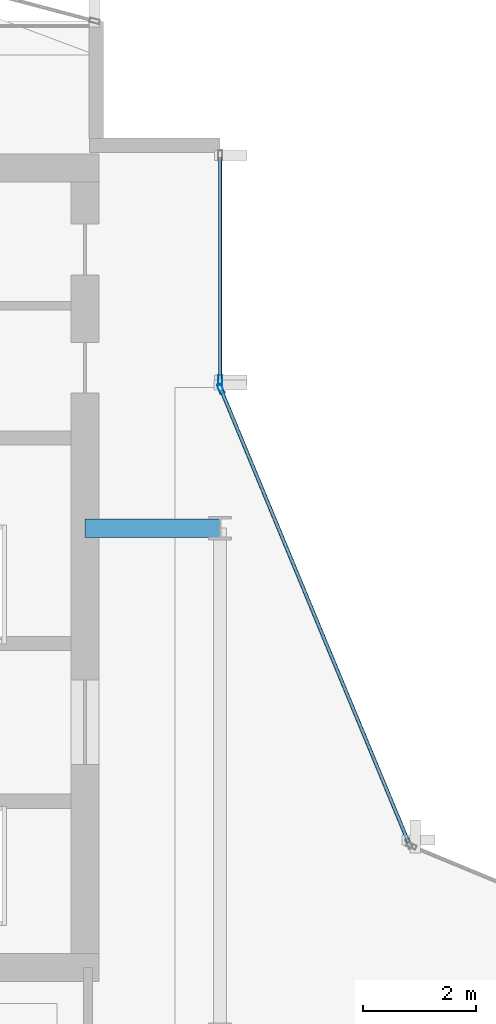
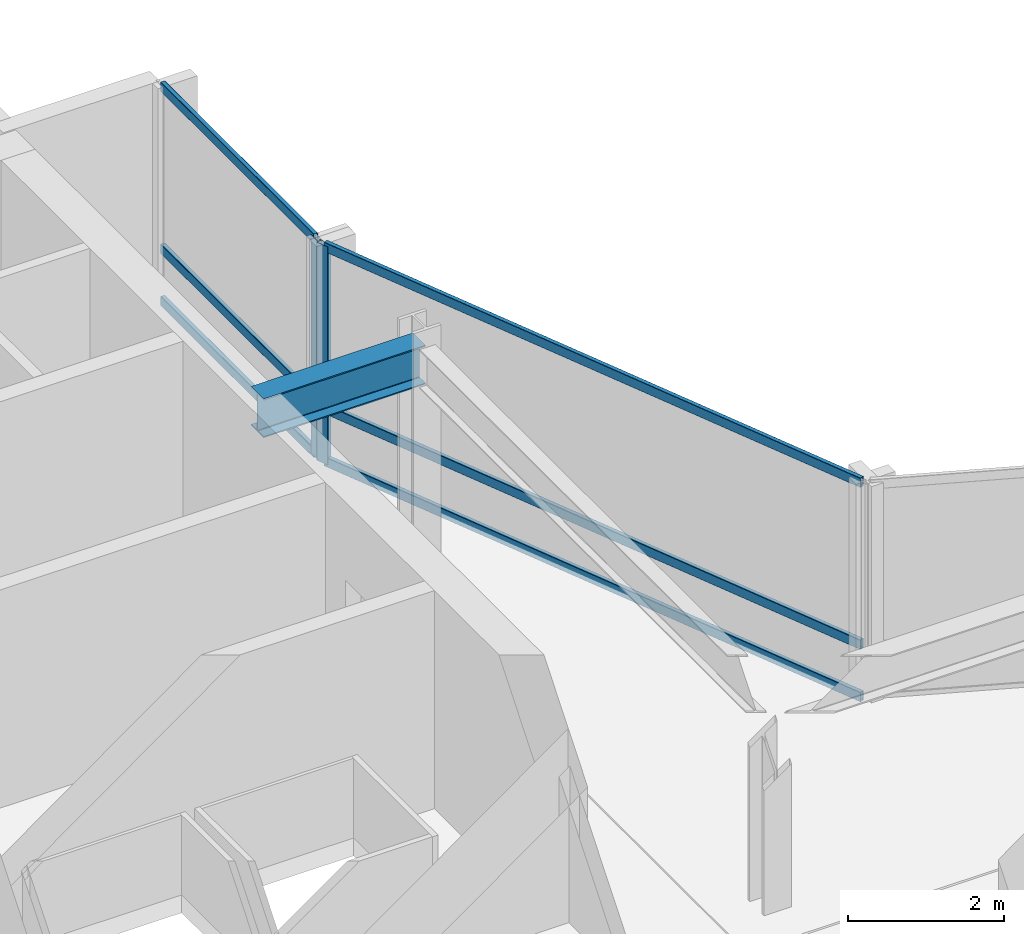
# One storey, part 17 of 27: 8 members, 1 beam, 2 elements without a shape of their own.
"""IFC4 building model written with IfcOpenShell, lengths in metres."""

import ifcopenshell
import ifcopenshell.guid

model = None  # the IFC model being written
_history = None  # IfcOwnerHistory: only IFC2X3 demands one
_inside = {}  # id of a spatial element -> (the spatial element, [elements in it])
_under = {}  # id of a project, library or spatial element -> (it, [spatial elements below it])
_declared = {}  # id of a project -> (the project, [libraries it declares])
_typed = {}  # id of a type object -> (the type object, [elements of that type])
_made_of = {}  # id of a material, layer set ... -> (it, [elements and type objects made of it])


def new_model(schema):
    """Start an empty IFC model of exactly this schema.

    Asked for "IFC4X3", IfcOpenShell would pick the latest addendum, in which some entities
    have other attributes; the version numbers below select the first issue.
    IFC2X3 requires an IfcOwnerHistory on every rooted entity: one is made here for all.
    """
    global model, _history
    if schema == "IFC4X3":
        model = ifcopenshell.file(schema_version=(4, 3, 0, 0))
    else:
        model = ifcopenshell.file(schema=schema)
    _inside.clear()
    _under.clear()
    _declared.clear()
    _typed.clear()
    _made_of.clear()
    _history = None
    if model.schema == "IFC2X3":
        org = make("IfcOrganization", Name="unknown")
        user = make(
            "IfcPersonAndOrganization",
            ThePerson=make("IfcPerson", FamilyName="unknown"),
            TheOrganization=org,
        )
        app = make(
            "IfcApplication",
            ApplicationDeveloper=org,
            Version="unknown",
            ApplicationFullName="unknown",
            ApplicationIdentifier="unknown",
        )
        _history = make(
            "IfcOwnerHistory",
            OwningUser=user,
            OwningApplication=app,
            ChangeAction="ADDED",
            CreationDate=0,
        )
    return model


def make(cls, **values):
    """One entity of the class cls with the attributes given. An attribute that is None is left unset."""
    return model.create_entity(
        cls, **{name: value for name, value in values.items() if value is not None}
    )


def rooted(cls, **values):
    """An entity with a GlobalId (a new one), such as an element, a storey or a relation."""
    return make(cls, GlobalId=ifcopenshell.guid.new(), OwnerHistory=_history, **values)


def si_unit(unit_type, name, prefix=None):
    """IfcSIUnit, for example si_unit("LENGTHUNIT", "METRE", prefix="MILLI")."""
    return make("IfcSIUnit", UnitType=unit_type, Prefix=prefix, Name=name)


def assignment(units):
    """IfcUnitAssignment: the units of a project."""
    return None if units is None else make("IfcUnitAssignment", Units=units)


def point(xyz):
    """IfcCartesianPoint."""
    return None if xyz is None else make("IfcCartesianPoint", Coordinates=xyz)


def direction(xyz):
    """IfcDirection."""
    return None if xyz is None else make("IfcDirection", DirectionRatios=xyz)


def frame(location, z_axis=None, x_axis=None):
    """IfcAxis2Placement3D, a coordinate frame: its origin and axes. An axis left out is left unset."""
    return make(
        "IfcAxis2Placement3D",
        Location=point(location),
        Axis=direction(z_axis),
        RefDirection=direction(x_axis),
    )


def frame_2d(location, x_axis=None):
    """IfcAxis2Placement2D, a coordinate frame in the plane: its origin and x axis."""
    return make(
        "IfcAxis2Placement2D", Location=point(location), RefDirection=direction(x_axis)
    )


def origin():
    """The frame at (0, 0, 0) with its axes left unset."""
    return frame((0.0, 0.0, 0.0))


def origin_2d():
    """The frame at (0, 0) in the plane with its x axis left unset."""
    return frame_2d((0.0, 0.0))


def place(relative_to, where):
    """IfcLocalPlacement: puts the frame where relative to a parent placement (None: the world)."""
    return make(
        "IfcLocalPlacement", PlacementRelTo=relative_to, RelativePlacement=where
    )


def context(
    kind, dimensions, precision=None, world=None, true_north=None, identifier=None
):
    """IfcGeometricRepresentationContext, for example the 3D "Model" context."""
    return make(
        "IfcGeometricRepresentationContext",
        ContextIdentifier=identifier,
        ContextType=kind,
        CoordinateSpaceDimension=dimensions,
        Precision=precision,
        WorldCoordinateSystem=world,
        TrueNorth=true_north,
    )


def subcontext(parent, identifier, kind, view, scale=None):
    """IfcGeometricRepresentationSubContext, for example "Body" below "Model"."""
    return make(
        "IfcGeometricRepresentationSubContext",
        ContextIdentifier=identifier,
        ContextType=kind,
        ParentContext=parent,
        TargetScale=scale,
        TargetView=view,
    )


def project(units=None, contexts=None):
    """IfcProject with its units and contexts."""
    return rooted(
        "IfcProject",
        Name="project",
        RepresentationContexts=contexts,
        UnitsInContext=assignment(units),
    )


def spatial(cls, under=None, at=None, **own):
    """A site, building, storey or space (cls), placed at a placement, below another one or the project."""
    s = rooted(cls, ObjectPlacement=at, **own)
    if under is not None:
        _under.setdefault(under.id(), (under, []))[1].append(s)
    return s


def profile(cls, at=None, kind="AREA", **sizes):
    """A parametric profile (cls). Its sizes go by their IFC names, for example OverallWidth=200.0."""
    return make(cls, ProfileType=kind, Position=at, **sizes)


def hollow_rectangle(**sizes):
    """IfcRectangleHollowProfileDef."""
    return profile("IfcRectangleHollowProfileDef", **sizes)


def i_section(**sizes):
    """IfcIShapeProfileDef."""
    return profile("IfcIShapeProfileDef", **sizes)


def extrude(swept, where, along, depth):
    """IfcExtrudedAreaSolid: the profile swept, set in the frame where, extruded along a direction by depth."""
    return make(
        "IfcExtrudedAreaSolid",
        SweptArea=swept,
        Position=where,
        ExtrudedDirection=direction(along),
        Depth=depth,
    )


def shape(context_of_items, identifier, shape_type, items):
    """IfcShapeRepresentation: the items that make up one representation, for example the "Body"."""
    return make(
        "IfcShapeRepresentation",
        ContextOfItems=context_of_items,
        RepresentationIdentifier=identifier,
        RepresentationType=shape_type,
        Items=items,
    )


def material(Name=None, Category=None):
    """IfcMaterial."""
    return make("IfcMaterial", Name=Name, Category=Category)


def layer(
    of_material, thickness, ventilated=None, Name=None, Category=None, Priority=None
):
    """IfcMaterialLayer: one layer of a wall or slab, of a material (None: an air gap)."""
    return make(
        "IfcMaterialLayer",
        Material=of_material,
        LayerThickness=thickness,
        IsVentilated=ventilated,
        Name=Name,
        Category=Category,
        Priority=Priority,
    )


def layer_set(layers, Name=None):
    """IfcMaterialLayerSet."""
    return make("IfcMaterialLayerSet", MaterialLayers=layers, LayerSetName=Name)


def material_profile(
    of_material, cross_section, Name=None, Category=None, Priority=None
):
    """IfcMaterialProfile: a cross section and its material."""
    return make(
        "IfcMaterialProfile",
        Name=Name,
        Material=of_material,
        Profile=cross_section,
        Priority=Priority,
        Category=Category,
    )


def profile_set(profiles, Name=None, composite=None):
    """IfcMaterialProfileSet."""
    return make(
        "IfcMaterialProfileSet",
        Name=Name,
        MaterialProfiles=profiles,
        CompositeProfile=composite,
    )


def made_of(thing, what):
    """Note that an element or type object is made of a material, layer set ...; save() writes the relation."""
    if what is not None:
        _made_of.setdefault(what.id(), (what, []))[1].append(thing)
    return thing


def type_object(cls, material=None, **own):
    """A type object (cls), such as IfcWallType, which elements share."""
    return made_of(rooted(cls, **own), material)


def element(
    cls,
    number,
    at=None,
    inside=None,
    cuts=None,
    type_object=None,
    material=None,
    context=None,
    identifier="Body",
    shape_type=None,
    held_by="IfcProductDefinitionShape",
    body=None,
    shapes=None,
    **own,
):
    """One element of the class cls, such as IfcWall. Its Tag is "e" and its number.

    at: its placement. inside: the storey or other place that contains it. cuts: it is an
    opening in that element (IfcRelVoidsElement). A single representation is given by context,
    identifier, shape_type and body (its items); several are given by shapes. held_by: the class
    of the entity that holds the representations. save() writes the other relations.
    """
    e = rooted(cls, Tag="e%d" % number, ObjectPlacement=at, **own)
    if body is not None:
        shapes = [shape(context, identifier, shape_type, body)]
    if shapes is not None:
        e.Representation = make(held_by, Representations=shapes)
    if inside is not None:
        _inside.setdefault(inside.id(), (inside, []))[1].append(e)
    if cuts is not None:
        rooted(
            "IfcRelVoidsElement", RelatingBuildingElement=cuts, RelatedOpeningElement=e
        )
    if type_object is not None:
        _typed.setdefault(type_object.id(), (type_object, []))[1].append(e)
    return made_of(e, material)


def aggregate(whole, parts):
    """IfcRelAggregates: a whole, such as a stair, and the parts it consists of."""
    return rooted("IfcRelAggregates", RelatingObject=whole, RelatedObjects=parts)


def save(model, path):
    """Write the relations noted so far, then the file.

    IfcRelAggregates (storeys below a building ...), IfcRelContainedInSpatialStructure (elements
    in a storey), IfcRelDefinesByType, IfcRelAssociatesMaterial and IfcRelDeclares: one each for
    every whole, place, type object, material and project.
    """
    for whole, parts in _under.values():
        aggregate(whole, parts)
    for where, things in _inside.values():
        rooted(
            "IfcRelContainedInSpatialStructure",
            RelatedElements=things,
            RelatingStructure=where,
        )
    for kind, things in _typed.values():
        rooted("IfcRelDefinesByType", RelatedObjects=things, RelatingType=kind)
    for what, things in _made_of.values():
        rooted("IfcRelAssociatesMaterial", RelatedObjects=things, RelatingMaterial=what)
    for by, libraries in _declared.values():
        rooted("IfcRelDeclares", RelatingContext=by, RelatedDefinitions=libraries)
    model.write(path)


model = new_model("IFC4")

# Units and contexts
model_context = context("Model", 3, precision=1e-05, world=origin(), true_north=direction((0.0, 1.0)))
body_context = subcontext(model_context, "Body", "Model", "MODEL_VIEW")
ifc_project = project(units=[si_unit("LENGTHUNIT", "METRE"), si_unit("AREAUNIT", "SQUARE_METRE"), si_unit("VOLUMEUNIT", "CUBIC_METRE"), si_unit("PLANEANGLEUNIT", "RADIAN"), si_unit("MASSUNIT", "GRAM", prefix="KILO")], contexts=[model_context])

# Site, building, storey
site_placement = place(None, origin())
site = spatial("IfcSite", under=ifc_project, at=site_placement, CompositionType="ELEMENT")
building_placement = place(site_placement, origin())
building = spatial("IfcBuilding", under=site, at=building_placement, Name="Solvaryn Broadcast Tower", CompositionType="ELEMENT")
storey_placement = place(building_placement, frame((0.0, 0.0, 174.199951171875)))
storey = spatial("IfcBuildingStorey", under=building, at=storey_placement, Name="L43", CompositionType="ELEMENT", Elevation=174.199951171875)

# Beam
ifc_material_1 = material(Name="Steel ASTM A992 Grade 50", Category="steel")
ifc_material_profile_1 = material_profile(ifc_material_1, i_section(OverallWidth=0.323974609375, OverallDepth=0.611083984375, WebThickness=0.0126953125, FlangeThickness=0.01904296875, FilletRadius=0.014892578125, at=origin_2d()))
ifc_profile_set_1 = profile_set([ifc_material_profile_1], Name="Steel ASTM A992 Grade 50")
beam_type = type_object("IfcBeamType", Name="BM-B1-W24X104", PredefinedType="BEAM", material=ifc_profile_set_1)
beam_placement = place(storey_placement, frame((24.60009765625, 36.0, 3.114501953125), z_axis=(1.0, 0.0, 0.0), x_axis=(0.0, 1.0, 0.0)))
element("IfcBeam", 1, at=beam_placement, inside=storey, type_object=beam_type, Name="L43 Core Tie Beam CTW2", PredefinedType="BEAM", context=body_context, shape_type="SweptSolid", body=[
    extrude(i_section(OverallWidth=0.323974609375, OverallDepth=0.611083984375, WebThickness=0.0126953125, FlangeThickness=0.01904296875, FilletRadius=0.014892578125, at=origin_2d()), origin(), (0.0, 0.0, 1.0), 2.39990234375),
])

# Curtain wall, member
ifc_material_2 = material(Name="Aluminium and Terracotta Unitised Curtain Wall", Category="masonry")
ifc_layer = layer(ifc_material_2, 0.199951171875)
ifc_layer_set = layer_set([ifc_layer], Name="CW-SYS2-LOWMID")
curtain_wall_type = type_object("IfcCurtainWallType", Name="CW-SYS2-LOWMID", PredefinedType="NOTDEFINED", material=ifc_layer_set)
curtain_wall_1_placement = place(storey_placement, origin())
curtain_wall_1 = element("IfcCurtainWall", 2, at=curtain_wall_1_placement, inside=storey, type_object=curtain_wall_type, Name="L43 Curtain Wall IV", PredefinedType="NOTDEFINED")
ifc_material_3 = material(Name="Anodised Aluminium 6063-T6", Category="aluminium")
ifc_material_profile_2 = material_profile(ifc_material_3, hollow_rectangle(XDim=0.074951171875, YDim=0.179931640625, WallThickness=0.00390625, InnerFilletRadius=0.00390625, OuterFilletRadius=0.008056640625, at=origin_2d()))
ifc_profile_set_2 = profile_set([ifc_material_profile_2], Name="Anodised Aluminium 6063-T6")
member_type_1 = type_object("IfcMemberType", Name="CW-MUL-180", PredefinedType="MULLION", material=ifc_profile_set_2)
member_1_placement = place(storey_placement, frame((27.0, 38.6298828125, 0.0), z_axis=(0.0, 0.0, 1.0), x_axis=(1.0, 0.0, 0.0)))
member_1 = element("IfcMember", 3, at=member_1_placement, type_object=member_type_1, Name="CWS2 mullion 2", PredefinedType="MULLION", context=body_context, shape_type="SweptSolid", body=[
    extrude(hollow_rectangle(XDim=0.074951171875, YDim=0.179931640625, WallThickness=0.00390625, InnerFilletRadius=0.00390625, OuterFilletRadius=0.008056640625, at=origin_2d()), origin(), (0.0, 0.0, 1.0), 3.420166015625),
])

curtain_wall_2_placement = place(storey_placement, origin())
curtain_wall_2 = element("IfcCurtainWall", 4, at=curtain_wall_2_placement, inside=storey, type_object=curtain_wall_type, Name="L43 Curtain Wall CN2", PredefinedType="NOTDEFINED")
member_2_placement = place(storey_placement, frame((27.011474609375, 38.47216796875, 0.0), z_axis=(0.0, 0.0, 1.0), x_axis=(-0.923894983957, -0.382646127145, 0.0)))
member_2 = element("IfcMember", 5, at=member_2_placement, type_object=member_type_1, Name="CWS2 mullion 2", PredefinedType="MULLION", context=body_context, shape_type="SweptSolid", body=[
    extrude(hollow_rectangle(XDim=0.074951171875, YDim=0.179931640625, WallThickness=0.00390625, InnerFilletRadius=0.00390625, OuterFilletRadius=0.008056640625, at=origin_2d()), origin(), (0.0, 0.0, 1.0), 3.420166015625),
])

# Member
ifc_material_4 = material(Name="Anodised Aluminium 6063-T6", Category="aluminium")
ifc_material_profile_3 = material_profile(ifc_material_4, hollow_rectangle(XDim=0.06494140625, YDim=0.14990234375, WallThickness=0.00390625, InnerFilletRadius=0.00390625, OuterFilletRadius=0.008056640625, at=origin_2d()))
ifc_profile_set_3 = profile_set([ifc_material_profile_3], Name="Anodised Aluminium 6063-T6")
member_type_2 = type_object("IfcMemberType", Name="CW-TRN-150", PredefinedType="USERDEFINED", material=ifc_profile_set_3)
member_3_placement = place(storey_placement, frame((27.0, 42.590087890625, 0.030029296875), z_axis=(0.0, -1.0, 0.0), x_axis=(1.0, 0.0, 0.0)))
member_3 = element("IfcMember", 6, at=member_3_placement, type_object=member_type_2, Name="CWS2 transom 1.1", ObjectType="TRANSOM", PredefinedType="USERDEFINED", context=body_context, shape_type="SweptSolid", body=[
    extrude(hollow_rectangle(XDim=0.06494140625, YDim=0.14990234375, WallThickness=0.00390625, InnerFilletRadius=0.00390625, OuterFilletRadius=0.008056640625, at=origin_2d()), origin(), (0.0, 0.0, 1.0), 3.93017578125),
])

member_4_placement = place(storey_placement, frame((27.0, 42.590087890625, 0.85009765625), z_axis=(0.0, -1.0, 0.0), x_axis=(1.0, 0.0, 0.0)))
member_4 = element("IfcMember", 7, at=member_4_placement, type_object=member_type_2, Name="CWS2 transom 1.2", ObjectType="TRANSOM", PredefinedType="USERDEFINED", context=body_context, shape_type="SweptSolid", body=[
    extrude(hollow_rectangle(XDim=0.06494140625, YDim=0.14990234375, WallThickness=0.00390625, InnerFilletRadius=0.00390625, OuterFilletRadius=0.008056640625, at=origin_2d()), origin(), (0.0, 0.0, 1.0), 3.93017578125),
])

member_5_placement = place(storey_placement, frame((27.0, 42.590087890625, 3.39013671875), z_axis=(0.0, -1.0, 0.0), x_axis=(1.0, 0.0, 0.0)))
member_5 = element("IfcMember", 8, at=member_5_placement, type_object=member_type_2, Name="CWS2 transom 1.3", ObjectType="TRANSOM", PredefinedType="USERDEFINED", context=body_context, shape_type="SweptSolid", body=[
    extrude(hollow_rectangle(XDim=0.06494140625, YDim=0.14990234375, WallThickness=0.00390625, InnerFilletRadius=0.00390625, OuterFilletRadius=0.008056640625, at=origin_2d()), origin(), (0.0, 0.0, 1.0), 3.93017578125),
])

aggregate(curtain_wall_1, [member_1, member_3, member_4, member_5])

member_6_placement = place(storey_placement, frame((30.344970703125, 30.42333984375, 0.030029296875), z_axis=(-0.382635748975, 0.923899282177, 0.0), x_axis=(-0.923899282177, -0.382635748975, 0.0)))
member_6 = element("IfcMember", 9, at=member_6_placement, type_object=member_type_2, Name="CWS2 transom 1.1", ObjectType="TRANSOM", PredefinedType="USERDEFINED", context=body_context, shape_type="SweptSolid", body=[
    extrude(hollow_rectangle(XDim=0.06494140625, YDim=0.14990234375, WallThickness=0.00390625, InnerFilletRadius=0.00390625, OuterFilletRadius=0.008056640625, at=origin_2d()), origin(), (0.0, 0.0, 1.0), 8.681884765625),
])

member_7_placement = place(storey_placement, frame((30.344970703125, 30.42333984375, 0.85009765625), z_axis=(-0.382635748975, 0.923899282177, 0.0), x_axis=(-0.923899282177, -0.382635748975, 0.0)))
member_7 = element("IfcMember", 10, at=member_7_placement, type_object=member_type_2, Name="CWS2 transom 1.2", ObjectType="TRANSOM", PredefinedType="USERDEFINED", context=body_context, shape_type="SweptSolid", body=[
    extrude(hollow_rectangle(XDim=0.06494140625, YDim=0.14990234375, WallThickness=0.00390625, InnerFilletRadius=0.00390625, OuterFilletRadius=0.008056640625, at=origin_2d()), origin(), (0.0, 0.0, 1.0), 8.681884765625),
])

member_8_placement = place(storey_placement, frame((30.344970703125, 30.42333984375, 3.39013671875), z_axis=(-0.382635748975, 0.923899282177, 0.0), x_axis=(-0.923899282177, -0.382635748975, 0.0)))
member_8 = element("IfcMember", 11, at=member_8_placement, type_object=member_type_2, Name="CWS2 transom 1.3", ObjectType="TRANSOM", PredefinedType="USERDEFINED", context=body_context, shape_type="SweptSolid", body=[
    extrude(hollow_rectangle(XDim=0.06494140625, YDim=0.14990234375, WallThickness=0.00390625, InnerFilletRadius=0.00390625, OuterFilletRadius=0.008056640625, at=origin_2d()), origin(), (0.0, 0.0, 1.0), 8.681884765625),
])

aggregate(curtain_wall_2, [member_2, member_6, member_7, member_8])

save(model, "model.ifc")
